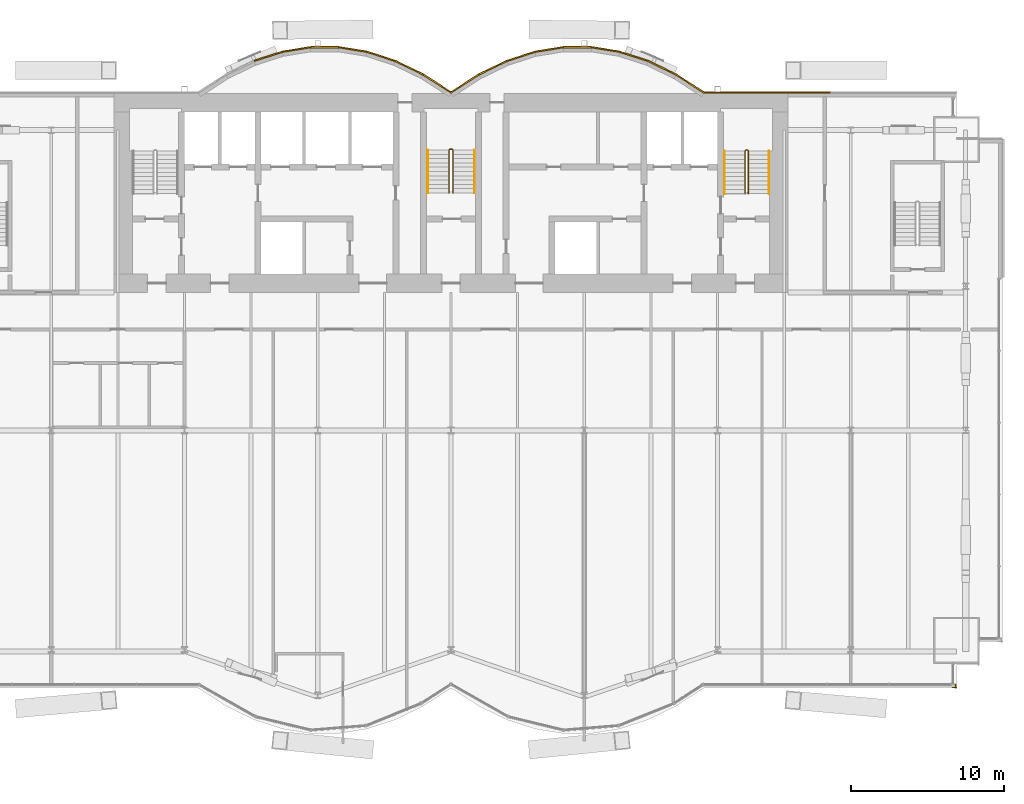
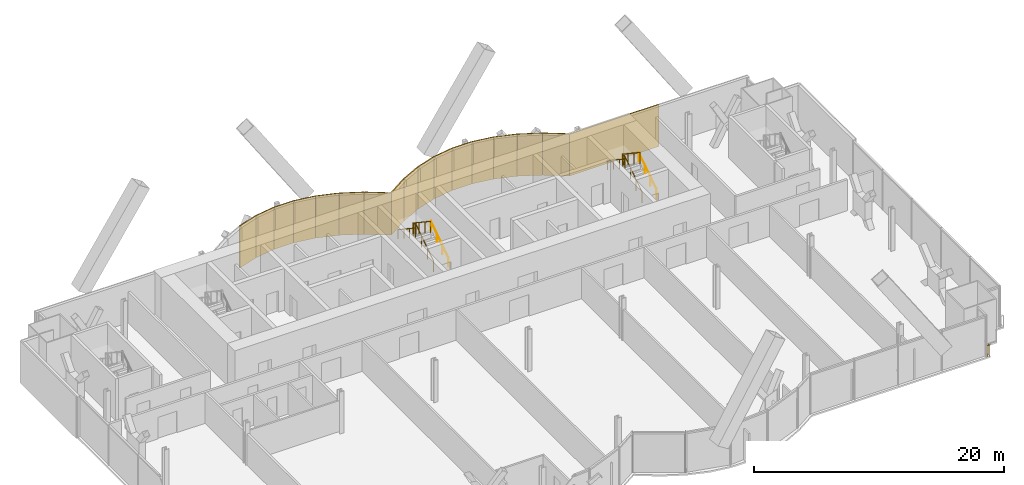
# One storey, part 21 of 22: 17 coverings, 7 railings.
"""IFC4 building model written with IfcOpenShell, lengths in metres."""

from ifc_helpers import new_model, si_unit, direction, frame, origin, origin_2d, place, context, subcontext, project, spatial, rectangle, circle, extrude, material, layer, layer_set, type_object, element, save


model = new_model("IFC4")

# Units and contexts
model_context = context("Model", 3, precision=1e-05, world=origin(), true_north=direction((0.0, 1.0)))
body_context = subcontext(model_context, "Body", "Model", "MODEL_VIEW")
ifc_project = project(units=[si_unit("LENGTHUNIT", "METRE"), si_unit("AREAUNIT", "SQUARE_METRE"), si_unit("VOLUMEUNIT", "CUBIC_METRE"), si_unit("PLANEANGLEUNIT", "RADIAN"), si_unit("MASSUNIT", "GRAM", prefix="KILO")], contexts=[model_context])

# Site, building, storey
site_placement = place(None, origin())
site = spatial("IfcSite", under=ifc_project, at=site_placement, CompositionType="ELEMENT")
building_placement = place(site_placement, origin())
building = spatial("IfcBuilding", under=site, at=building_placement, Name="Bicima Exchange Tower", CompositionType="ELEMENT")
storey_placement = place(building_placement, frame((0.0, 0.0, 94.0)))
storey = spatial("IfcBuildingStorey", under=building, at=storey_placement, Name="L19", CompositionType="ELEMENT", Elevation=94.0)

# Coverings
ifc_material_1 = material(Name="Bronze metal cladding")
ifc_layer_1 = layer(ifc_material_1, 0.004)
ifc_material_2 = material(Name="Ventilated cavity")
ifc_layer_2 = layer(ifc_material_2, 0.06)
ifc_material_3 = material(Name="Galvanised steel rail and mineral wool", Category="steel")
ifc_layer_3 = layer(ifc_material_3, 0.036)
ifc_layer_set = layer_set([ifc_layer_1, ifc_layer_2, ifc_layer_3], Name="Ventilated cavity")
covering_type = type_object("IfcCoveringType", Name="Bronze metal cladding panel 100", PredefinedType="CLADDING", material=ifc_layer_set)
covering_1_placement = place(storey_placement, frame((20.625, 0.050048828125, -0.150146484375), z_axis=(0.0, 0.0, 1.0), x_axis=(-1.0, 0.0, 0.0)))
element("IfcCovering", 1, at=covering_1_placement, inside=storey, type_object=covering_type, Name="Bronze cladding L19 1.2", PredefinedType="CLADDING", context=body_context, shape_type="SweptSolid", body=[
    extrude(rectangle(XDim=8.25, YDim=0.10009765625, at=origin_2d()), origin(), (0.0, 0.0, 1.0), 4.10009765625),
])
covering_2_placement = place(storey_placement, frame((15.610595703125, 0.634521484375, -0.150146484375), z_axis=(0.0, 0.0, 1.0), x_axis=(-0.839790466384, 0.542910648791, 0.0)))
element("IfcCovering", 2, at=covering_2_placement, inside=storey, type_object=covering_type, Name="Bronze cladding L19 2.1", PredefinedType="CLADDING", context=body_context, shape_type="SweptSolid", body=[
    extrude(rectangle(XDim=2.18310546875, YDim=0.10009765625, at=origin_2d()), origin(), (0.0, 0.0, 1.0), 4.10009765625),
])
covering_3_placement = place(storey_placement, frame((13.771728515625, 1.674560546875, -0.150146484375), z_axis=(0.0, 0.0, 1.0), x_axis=(-0.899818346812, 0.436264762204, 0.0)))
element("IfcCovering", 3, at=covering_3_placement, inside=storey, type_object=covering_type, Name="Bronze cladding L19 3.1", PredefinedType="CLADDING", context=body_context, shape_type="SweptSolid", body=[
    extrude(rectangle(XDim=2.03759765625, YDim=0.10009765625, at=origin_2d()), origin(), (0.0, 0.0, 1.0), 4.10009765625),
])
covering_4_placement = place(storey_placement, frame((11.931884765625, 2.41796875, -0.150146484375), z_axis=(0.0, 0.0, 1.0), x_axis=(-0.951524642381, 0.307572519808, 0.0)))
element("IfcCovering", 4, at=covering_4_placement, inside=storey, type_object=covering_type, Name="Bronze cladding L19 4.1", PredefinedType="CLADDING", context=body_context, shape_type="SweptSolid", body=[
    extrude(rectangle(XDim=1.9267578125, YDim=0.10009765625, at=origin_2d()), origin(), (0.0, 0.0, 1.0), 4.10009765625),
])
covering_5_placement = place(storey_placement, frame((10.09130859375, 2.8642578125, -0.150146484375), z_axis=(0.0, 0.0, 1.0), x_axis=(-0.987189786347, 0.159550386184, 0.0)))
element("IfcCovering", 5, at=covering_5_placement, inside=storey, type_object=covering_type, Name="Bronze cladding L19 5.1", PredefinedType="CLADDING", context=body_context, shape_type="SweptSolid", body=[
    extrude(rectangle(XDim=1.857177734375, YDim=0.10009765625, at=origin_2d()), origin(), (0.0, 0.0, 1.0), 4.10009765625),
])
covering_6_placement = place(storey_placement, frame((8.25, 3.012939453125, -0.150146484375), z_axis=(0.0, 0.0, 1.0), x_axis=(-1.0, 0.0, 0.0)))
element("IfcCovering", 6, at=covering_6_placement, inside=storey, type_object=covering_type, Name="Bronze cladding L19 6.1", PredefinedType="CLADDING", context=body_context, shape_type="SweptSolid", body=[
    extrude(rectangle(XDim=1.83349609375, YDim=0.10009765625, at=origin_2d()), origin(), (0.0, 0.0, 1.0), 4.10009765625),
])
covering_7_placement = place(storey_placement, frame((6.40869140625, 2.8642578125, -0.150146484375), z_axis=(0.0, 0.0, 1.0), x_axis=(-0.987189786347, -0.159550386184, 0.0)))
element("IfcCovering", 7, at=covering_7_placement, inside=storey, type_object=covering_type, Name="Bronze cladding L19 7.1", PredefinedType="CLADDING", context=body_context, shape_type="SweptSolid", body=[
    extrude(rectangle(XDim=1.857177734375, YDim=0.10009765625, at=origin_2d()), origin(), (0.0, 0.0, 1.0), 4.10009765625),
])
covering_8_placement = place(storey_placement, frame((4.568115234375, 2.41796875, -0.150146484375), z_axis=(0.0, 0.0, 1.0), x_axis=(-0.951524642381, -0.307572519808, 0.0)))
element("IfcCovering", 8, at=covering_8_placement, inside=storey, type_object=covering_type, Name="Bronze cladding L19 8.1", PredefinedType="CLADDING", context=body_context, shape_type="SweptSolid", body=[
    extrude(rectangle(XDim=1.9267578125, YDim=0.10009765625, at=origin_2d()), origin(), (0.0, 0.0, 1.0), 4.10009765625),
])
covering_9_placement = place(storey_placement, frame((2.728271484375, 1.674560546875, -0.150146484375), z_axis=(0.0, 0.0, 1.0), x_axis=(-0.899818346812, -0.436264762204, 0.0)))
element("IfcCovering", 9, at=covering_9_placement, inside=storey, type_object=covering_type, Name="Bronze cladding L19 9.1", PredefinedType="CLADDING", context=body_context, shape_type="SweptSolid", body=[
    extrude(rectangle(XDim=2.03759765625, YDim=0.10009765625, at=origin_2d()), origin(), (0.0, 0.0, 1.0), 4.10009765625),
])
for number, where, z_axis, x_axis, name in (
    (10, (0.889404296875, 0.634521484375, -0.150146484375), (0.0, 0.0, 1.0), (-0.839790466384, -0.542910648791, 0.0), "Bronze cladding L19 10.1"),
    (11, (-0.889404296875, 0.634521484375, -0.150146484375), (0.0, 0.0, 1.0), (-0.839790466384, 0.542910648791, 0.0), "Bronze cladding L19 11.1"),
):
    element("IfcCovering", number, at=place(storey_placement, frame(where, z_axis=z_axis, x_axis=x_axis)), inside=storey, type_object=covering_type, Name=name, PredefinedType="CLADDING", context=body_context, shape_type="SweptSolid", body=[
        extrude(rectangle(XDim=2.18310546875, YDim=0.10009765625, at=origin_2d()), origin(), (0.0, 0.0, 1.0), 4.10009765625),
    ])
covering_10_placement = place(storey_placement, frame((-2.728271484375, 1.674560546875, -0.150146484375), z_axis=(0.0, 0.0, 1.0), x_axis=(-0.899818346812, 0.436264762204, 0.0)))
element("IfcCovering", 12, at=covering_10_placement, inside=storey, type_object=covering_type, Name="Bronze cladding L19 12.1", PredefinedType="CLADDING", context=body_context, shape_type="SweptSolid", body=[
    extrude(rectangle(XDim=2.03759765625, YDim=0.10009765625, at=origin_2d()), origin(), (0.0, 0.0, 1.0), 4.10009765625),
])
covering_11_placement = place(storey_placement, frame((-4.568115234375, 2.41796875, -0.150146484375), z_axis=(0.0, 0.0, 1.0), x_axis=(-0.951524642381, 0.307572519808, 0.0)))
element("IfcCovering", 13, at=covering_11_placement, inside=storey, type_object=covering_type, Name="Bronze cladding L19 13.1", PredefinedType="CLADDING", context=body_context, shape_type="SweptSolid", body=[
    extrude(rectangle(XDim=1.9267578125, YDim=0.10009765625, at=origin_2d()), origin(), (0.0, 0.0, 1.0), 4.10009765625),
])
covering_12_placement = place(storey_placement, frame((-6.40869140625, 2.8642578125, -0.150146484375), z_axis=(0.0, 0.0, 1.0), x_axis=(-0.987189786347, 0.159550386184, 0.0)))
element("IfcCovering", 14, at=covering_12_placement, inside=storey, type_object=covering_type, Name="Bronze cladding L19 14.1", PredefinedType="CLADDING", context=body_context, shape_type="SweptSolid", body=[
    extrude(rectangle(XDim=1.857177734375, YDim=0.10009765625, at=origin_2d()), origin(), (0.0, 0.0, 1.0), 4.10009765625),
])
covering_13_placement = place(storey_placement, frame((-8.25, 3.012939453125, -0.150146484375), z_axis=(0.0, 0.0, 1.0), x_axis=(-1.0, 0.0, 0.0)))
element("IfcCovering", 15, at=covering_13_placement, inside=storey, type_object=covering_type, Name="Bronze cladding L19 15.1", PredefinedType="CLADDING", context=body_context, shape_type="SweptSolid", body=[
    extrude(rectangle(XDim=1.83349609375, YDim=0.10009765625, at=origin_2d()), origin(), (0.0, 0.0, 1.0), 4.10009765625),
])
covering_14_placement = place(storey_placement, frame((-10.09130859375, 2.8642578125, -0.150146484375), z_axis=(0.0, 0.0, 1.0), x_axis=(-0.987189786347, -0.159550386184, 0.0)))
element("IfcCovering", 16, at=covering_14_placement, inside=storey, type_object=covering_type, Name="Bronze cladding L19 16.1", PredefinedType="CLADDING", context=body_context, shape_type="SweptSolid", body=[
    extrude(rectangle(XDim=1.857177734375, YDim=0.10009765625, at=origin_2d()), origin(), (0.0, 0.0, 1.0), 4.10009765625),
])
covering_15_placement = place(storey_placement, frame((-11.931884765625, 2.41796875, -0.150146484375), z_axis=(0.0, 0.0, 1.0), x_axis=(-0.951524642381, -0.307572519808, 0.0)))
element("IfcCovering", 17, at=covering_15_placement, inside=storey, type_object=covering_type, Name="Bronze cladding L19 17.1", PredefinedType="CLADDING", context=body_context, shape_type="SweptSolid", body=[
    extrude(rectangle(XDim=1.9267578125, YDim=0.10009765625, at=origin_2d()), origin(), (0.0, 0.0, 1.0), 4.10009765625),
])

# Railings
ifc_material_4 = material(Name="Stainless steel and bonded safety glass", Category="steel")
railing_type_1 = type_object("IfcRailingType", Name="Edge guard 1100", PredefinedType="GUARDRAIL", material=ifc_material_4)
railing_1_placement = place(storey_placement, frame((32.949951171875, -38.577880859375, 0.0)))
element("IfcRailing", 18, at=railing_1_placement, inside=storey, type_object=railing_type_1, Name="Edge guard L19 88", PredefinedType="GUARDRAIL", context=body_context, shape_type="SweptSolid", body=[
    extrude(circle(Radius=0.02392578125, at=origin_2d()), frame((0.0, 0.0, 1.076171875), z_axis=(0.0, -1.0, 0.0), x_axis=(1.0, 0.0, 0.0)), (0.0, 0.0, 1.0), 0.25),
    extrude(circle(Radius=0.02392578125, at=origin_2d()), frame((0.0, -0.25, 1.076171875), z_axis=(0.708833529934, 0.705375805398, 0.0), x_axis=(-0.705375805398, 0.708833529934, 0.0)), (0.0, 0.0, 1.0), 0.070556640625),
    extrude(circle(Radius=0.02392578125, at=origin_2d()), frame((0.050048828125, -0.2001953125, 1.076171875), z_axis=(-1.0, 0.0, 0.0), x_axis=(0.0, -1.0, 0.0)), (0.0, 0.0, 1.0), 0.25),
    extrude(circle(Radius=0.02099609375, at=origin_2d()), origin(), (0.0, 0.0, 1.0), 1.052001953125),
    extrude(circle(Radius=0.02099609375, at=origin_2d()), frame((0.0, -0.25, 0.0)), (0.0, 0.0, 1.0), 1.052001953125),
    extrude(circle(Radius=0.02099609375, at=origin_2d()), frame((0.050048828125, -0.2001953125, 0.0)), (0.0, 0.0, 1.0), 1.052001953125),
    extrude(circle(Radius=0.02099609375, at=origin_2d()), frame((-0.199951171875, -0.2001953125, 0.0)), (0.0, 0.0, 1.0), 1.052001953125),
])
ifc_material_5 = material(Name="Stainless steel", Category="steel")
railing_type_2 = type_object("IfcRailingType", Name="Stair guard 1100", PredefinedType="GUARDRAIL", material=ifc_material_5)
railing_2_placement = place(storey_placement, frame((0.125, -6.5, 0.186279296875)))
element("IfcRailing", 19, at=railing_2_placement, inside=storey, type_object=railing_type_2, Name="L19 ST-C stair guard 1", PredefinedType="GUARDRAIL", context=body_context, shape_type="SweptSolid", body=[
    extrude(circle(Radius=0.02392578125, at=origin_2d()), frame((0.0, 0.0, 1.076171875), z_axis=(0.0, 0.832452072856, 0.554097055034), x_axis=(-1.0, 0.0, 0.0)), (0.0, 0.0, 1.0), 3.363525390625),
    extrude(circle(Radius=0.02392578125, at=origin_2d()), frame((0.0, 2.800048828125, 2.93994140625), z_axis=(-0.707106781187, 0.707106781187, 0.0), x_axis=(-0.707106781187, -0.707106781187, 0.0)), (0.0, 0.0, 1.0), 0.07080078125),
    extrude(circle(Radius=0.02392578125, at=origin_2d()), frame((-0.050048828125, 2.85009765625, 2.93994140625), z_axis=(-1.0, 0.0, 0.0), x_axis=(0.0, -1.0, 0.0)), (0.0, 0.0, 1.0), 0.14990234375),
    extrude(circle(Radius=0.02392578125, at=origin_2d()), frame((-0.199951171875, 2.85009765625, 2.93994140625), z_axis=(-0.251157038772, -0.251157038772, 0.934794246747), x_axis=(0.707106781187, -0.707106781187, 0.0)), (0.0, 0.0, 1.0), 0.19921875),
    extrude(circle(Radius=0.02392578125, at=origin_2d()), frame((-0.25, 2.800048828125, 3.1259765625), z_axis=(0.0, -0.832452072856, 0.554097055034), x_axis=(1.0, 0.0, 0.0)), (0.0, 0.0, 1.0), 3.363525390625),
    extrude(circle(Radius=0.02099609375, at=origin_2d()), origin(), (0.0, 0.0, 1.0), 1.052001953125),
    extrude(circle(Radius=0.02099609375, at=origin_2d()), frame((0.0, 0.933349609375, 0.621337890625)), (0.0, 0.0, 1.0), 1.052001953125),
    extrude(circle(Radius=0.02099609375, at=origin_2d()), frame((0.0, 1.86669921875, 1.242431640625)), (0.0, 0.0, 1.0), 1.052001953125),
    extrude(circle(Radius=0.02099609375, at=origin_2d()), frame((0.0, 2.800048828125, 1.86376953125)), (0.0, 0.0, 1.0), 1.052001953125),
    extrude(circle(Radius=0.02099609375, at=origin_2d()), frame((-0.050048828125, 2.85009765625, 1.86376953125)), (0.0, 0.0, 1.0), 1.052001953125),
    extrude(circle(Radius=0.02099609375, at=origin_2d()), frame((-0.199951171875, 2.85009765625, 1.86376953125)), (0.0, 0.0, 1.0), 1.052001953125),
    extrude(circle(Radius=0.02099609375, at=origin_2d()), frame((-0.25, 2.800048828125, 2.050048828125)), (0.0, 0.0, 1.0), 1.052001953125),
    extrude(circle(Radius=0.02099609375, at=origin_2d()), frame((-0.25, 1.86669921875, 2.67138671875)), (0.0, 0.0, 1.0), 1.052001953125),
    extrude(circle(Radius=0.02099609375, at=origin_2d()), frame((-0.25, 0.933349609375, 3.29248046875)), (0.0, 0.0, 1.0), 1.052001953125),
    extrude(circle(Radius=0.02099609375, at=origin_2d()), frame((-0.25, 0.0, 3.913818359375)), (0.0, 0.0, 1.0), 1.052001953125),
])
railing_3_placement = place(storey_placement, frame((19.39990234375, -6.550048828125, 0.186279296875)))
element("IfcRailing", 20, at=railing_3_placement, inside=storey, type_object=railing_type_2, Name="L19 ST-E stair guard 1", PredefinedType="GUARDRAIL", context=body_context, shape_type="SweptSolid", body=[
    extrude(circle(Radius=0.02392578125, at=origin_2d()), frame((0.0, 0.0, 1.076171875), z_axis=(0.0, 0.832452072856, 0.554097055034), x_axis=(-1.0, 0.0, 0.0)), (0.0, 0.0, 1.0), 3.363525390625),
    extrude(circle(Radius=0.02392578125, at=origin_2d()), frame((0.0, 2.800048828125, 2.93994140625), z_axis=(-0.705375805398, 0.708833529934, 0.0), x_axis=(-0.708833529934, -0.705375805398, 0.0)), (0.0, 0.0, 1.0), 0.070556640625),
    extrude(circle(Radius=0.02392578125, at=origin_2d()), frame((-0.0498046875, 2.85009765625, 2.93994140625), z_axis=(-1.0, 0.0, 0.0), x_axis=(0.0, -1.0, 0.0)), (0.0, 0.0, 1.0), 0.10009765625),
    extrude(circle(Radius=0.02392578125, at=origin_2d()), frame((-0.14990234375, 2.85009765625, 2.93994140625), z_axis=(-0.251157038772, -0.251157038772, 0.934794246747), x_axis=(0.707106781187, -0.707106781187, 0.0)), (0.0, 0.0, 1.0), 0.19921875),
    extrude(circle(Radius=0.02392578125, at=origin_2d()), frame((-0.199951171875, 2.800048828125, 3.1259765625), z_axis=(0.0, -0.832452072856, 0.554097055034), x_axis=(1.0, 0.0, 0.0)), (0.0, 0.0, 1.0), 3.363525390625),
    extrude(circle(Radius=0.02099609375, at=origin_2d()), origin(), (0.0, 0.0, 1.0), 1.052001953125),
    extrude(circle(Radius=0.02099609375, at=origin_2d()), frame((0.0, 0.933349609375, 0.621337890625)), (0.0, 0.0, 1.0), 1.052001953125),
    extrude(circle(Radius=0.02099609375, at=origin_2d()), frame((0.0, 1.86669921875, 1.242431640625)), (0.0, 0.0, 1.0), 1.052001953125),
    extrude(circle(Radius=0.02099609375, at=origin_2d()), frame((0.0, 2.800048828125, 1.86376953125)), (0.0, 0.0, 1.0), 1.052001953125),
    extrude(circle(Radius=0.02099609375, at=origin_2d()), frame((-0.0498046875, 2.85009765625, 1.86376953125)), (0.0, 0.0, 1.0), 1.052001953125),
    extrude(circle(Radius=0.02099609375, at=origin_2d()), frame((-0.14990234375, 2.85009765625, 1.86376953125)), (0.0, 0.0, 1.0), 1.052001953125),
    extrude(circle(Radius=0.02099609375, at=origin_2d()), frame((-0.199951171875, 2.800048828125, 2.050048828125)), (0.0, 0.0, 1.0), 1.052001953125),
    extrude(circle(Radius=0.02099609375, at=origin_2d()), frame((-0.199951171875, 1.86669921875, 2.67138671875)), (0.0, 0.0, 1.0), 1.052001953125),
    extrude(circle(Radius=0.02099609375, at=origin_2d()), frame((-0.199951171875, 0.933349609375, 3.29248046875)), (0.0, 0.0, 1.0), 1.052001953125),
    extrude(circle(Radius=0.02099609375, at=origin_2d()), frame((-0.199951171875, 0.0, 3.913818359375)), (0.0, 0.0, 1.0), 1.052001953125),
])
railing_type_3 = type_object("IfcRailingType", Name="Stair handrail 900", PredefinedType="HANDRAIL", material=ifc_material_5)
railing_4_placement = place(storey_placement, frame((1.52490234375, -6.5, 0.186279296875)))
element("IfcRailing", 21, at=railing_4_placement, inside=storey, type_object=railing_type_3, Name="L19 ST-C stair handrail 1", PredefinedType="HANDRAIL", context=body_context, shape_type="SweptSolid", body=[
    extrude(circle(Radius=0.02392578125, at=origin_2d()), frame((0.0, 0.0, 0.8759765625), z_axis=(0.0, 0.832452072856, 0.554097055034), x_axis=(-1.0, 0.0, 0.0)), (0.0, 0.0, 1.0), 3.363525390625),
    extrude(circle(Radius=0.02099609375, at=origin_2d()), origin(), (0.0, 0.0, 1.0), 0.851806640625),
    extrude(circle(Radius=0.02099609375, at=origin_2d()), frame((0.0, 0.933349609375, 0.621337890625)), (0.0, 0.0, 1.0), 0.851806640625),
    extrude(circle(Radius=0.02099609375, at=origin_2d()), frame((0.0, 1.86669921875, 1.242431640625)), (0.0, 0.0, 1.0), 0.851806640625),
    extrude(circle(Radius=0.02099609375, at=origin_2d()), frame((0.0, 2.800048828125, 1.86376953125)), (0.0, 0.0, 1.0), 0.851806640625),
])
railing_5_placement = place(storey_placement, frame((-1.52490234375, -3.699951171875, 2.27685546875)))
element("IfcRailing", 22, at=railing_5_placement, inside=storey, type_object=railing_type_3, Name="L19 ST-C stair handrail 2", PredefinedType="HANDRAIL", context=body_context, shape_type="SweptSolid", body=[
    extrude(circle(Radius=0.02392578125, at=origin_2d()), frame((0.0, 0.0, 0.8759765625), z_axis=(0.0, -0.832485552168, 0.554046753832), x_axis=(1.0, 0.0, 0.0)), (0.0, 0.0, 1.0), 3.363525390625),
    extrude(circle(Radius=0.02099609375, at=origin_2d()), origin(), (0.0, 0.0, 1.0), 0.851806640625),
    extrude(circle(Radius=0.02099609375, at=origin_2d()), frame((0.0, -0.933349609375, 0.62109375)), (0.0, 0.0, 1.0), 0.851806640625),
    extrude(circle(Radius=0.02099609375, at=origin_2d()), frame((0.0, -1.86669921875, 1.242431640625)), (0.0, 0.0, 1.0), 0.851806640625),
    extrude(circle(Radius=0.02099609375, at=origin_2d()), frame((0.0, -2.800048828125, 1.863525390625)), (0.0, 0.0, 1.0), 0.851806640625),
])
railing_6_placement = place(storey_placement, frame((20.75, -6.550048828125, 0.186279296875)))
element("IfcRailing", 23, at=railing_6_placement, inside=storey, type_object=railing_type_3, Name="L19 ST-E stair handrail 1", PredefinedType="HANDRAIL", context=body_context, shape_type="SweptSolid", body=[
    extrude(circle(Radius=0.02392578125, at=origin_2d()), frame((0.0, 0.0, 0.8759765625), z_axis=(0.0, 0.832452072856, 0.554097055034), x_axis=(-1.0, 0.0, 0.0)), (0.0, 0.0, 1.0), 3.363525390625),
    extrude(circle(Radius=0.02099609375, at=origin_2d()), origin(), (0.0, 0.0, 1.0), 0.851806640625),
    extrude(circle(Radius=0.02099609375, at=origin_2d()), frame((0.0, 0.933349609375, 0.621337890625)), (0.0, 0.0, 1.0), 0.851806640625),
    extrude(circle(Radius=0.02099609375, at=origin_2d()), frame((0.0, 1.86669921875, 1.242431640625)), (0.0, 0.0, 1.0), 0.851806640625),
    extrude(circle(Radius=0.02099609375, at=origin_2d()), frame((0.0, 2.800048828125, 1.86376953125)), (0.0, 0.0, 1.0), 0.851806640625),
])
railing_7_placement = place(storey_placement, frame((17.85009765625, -3.75, 2.27685546875)))
element("IfcRailing", 24, at=railing_7_placement, inside=storey, type_object=railing_type_3, Name="L19 ST-E stair handrail 2", PredefinedType="HANDRAIL", context=body_context, shape_type="SweptSolid", body=[
    extrude(circle(Radius=0.02392578125, at=origin_2d()), frame((0.0, 0.0, 0.8759765625), z_axis=(0.0, -0.832485552168, 0.554046753832), x_axis=(1.0, 0.0, 0.0)), (0.0, 0.0, 1.0), 3.363525390625),
    extrude(circle(Radius=0.02099609375, at=origin_2d()), origin(), (0.0, 0.0, 1.0), 0.851806640625),
    extrude(circle(Radius=0.02099609375, at=origin_2d()), frame((0.0, -0.933349609375, 0.62109375)), (0.0, 0.0, 1.0), 0.851806640625),
    extrude(circle(Radius=0.02099609375, at=origin_2d()), frame((0.0, -1.86669921875, 1.242431640625)), (0.0, 0.0, 1.0), 0.851806640625),
    extrude(circle(Radius=0.02099609375, at=origin_2d()), frame((0.0, -2.800048828125, 1.863525390625)), (0.0, 0.0, 1.0), 0.851806640625),
])

save(model, "model.ifc")
